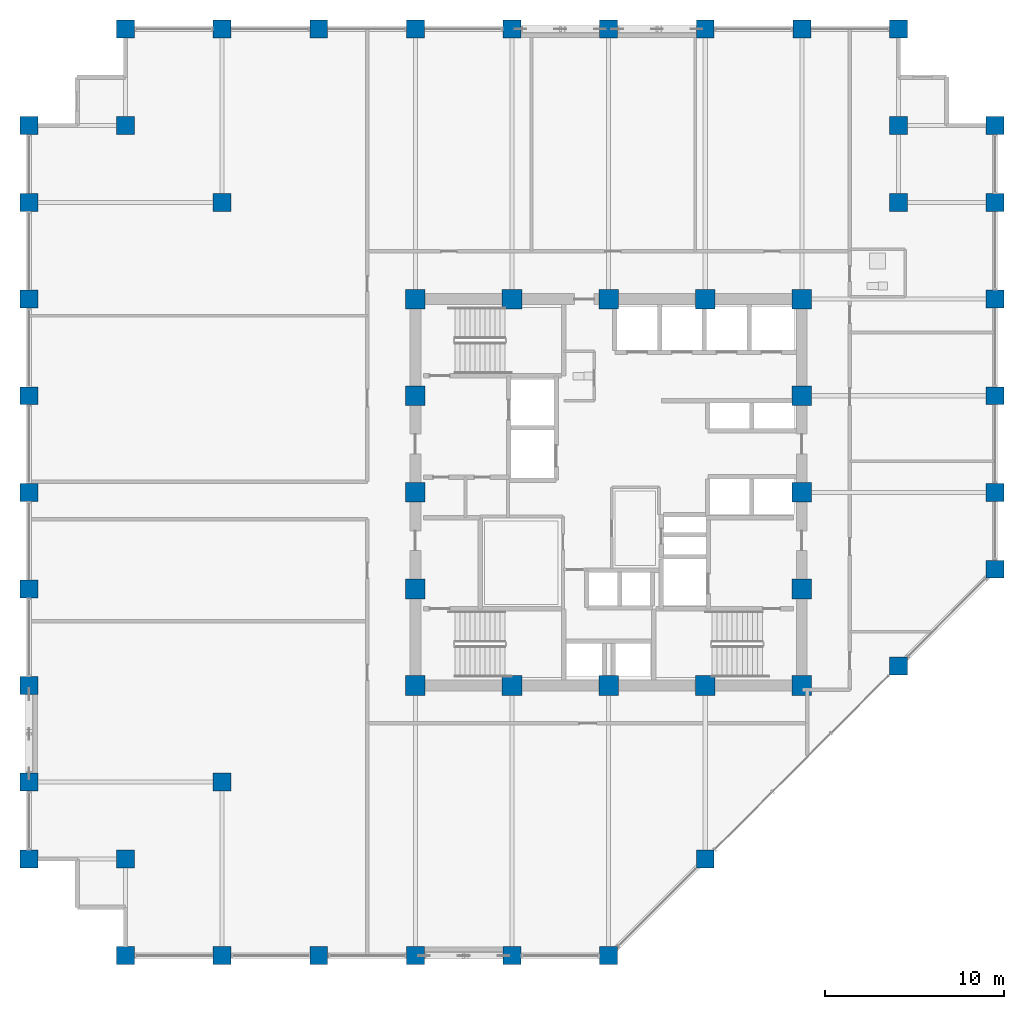
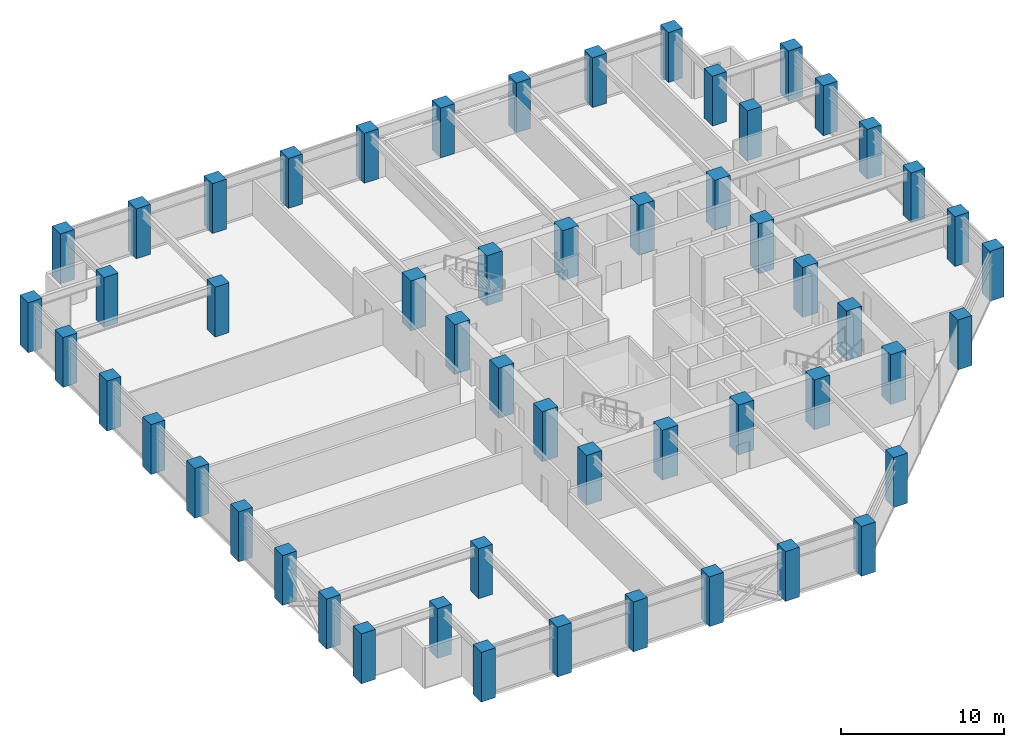
# One storey, part 1 of 23: 54 columns.
"""IFC4 building model written with IfcOpenShell, lengths in metres."""

from ifc_helpers import new_model, si_unit, direction, frame, origin, origin_2d, place, context, subcontext, project, spatial, rectangle, extrude, material, material_profile, profile_set, type_object, element, save


model = new_model("IFC4")

# Units and contexts
model_context = context("Model", 3, precision=1e-05, world=origin(), true_north=direction((0.0, 1.0)))
body_context = subcontext(model_context, "Body", "Model", "MODEL_VIEW")
ifc_project = project(units=[si_unit("LENGTHUNIT", "METRE"), si_unit("AREAUNIT", "SQUARE_METRE"), si_unit("VOLUMEUNIT", "CUBIC_METRE"), si_unit("PLANEANGLEUNIT", "RADIAN"), si_unit("MASSUNIT", "GRAM", prefix="KILO")], contexts=[model_context])

# Site, building, storey
site_placement = place(None, origin())
site = spatial("IfcSite", under=ifc_project, at=site_placement, CompositionType="ELEMENT")
building_placement = place(site_placement, origin())
building = spatial("IfcBuilding", under=site, at=building_placement, Name="Surkhivell Harbour Commons", CompositionType="ELEMENT")
storey_placement = place(building_placement, frame((0.0, 0.0, 132.0)))
storey = spatial("IfcBuildingStorey", under=building, at=storey_placement, Name="L34", CompositionType="ELEMENT", Elevation=132.0)

# Columns
ifc_material = material(Name="Concrete C60/75", Category="concrete")
ifc_material_profile_1 = material_profile(ifc_material, rectangle(XDim=1.10009765625, YDim=1.10009765625, at=origin_2d()), Name="RC-COL-1100x1100")
ifc_profile_set_1 = profile_set([ifc_material_profile_1], Name="Concrete C60/75")
column_type_1 = type_object("IfcColumnType", Name="COL-TUBE-Z2A", PredefinedType="COLUMN", material=ifc_profile_set_1)
for number, where, z_axis, x_axis, name in (
    (1, (-10.800048828125, -10.800048828125, 0.0), (0.0, 0.0, 1.0), (1.0, 0.0, 0.0), "L34 Column CT-2A (-10.8,-10.8)"),
    (2, (-10.800048828125, -5.39990234375, 0.0), (0.0, 0.0, 1.0), (1.0, 0.0, 0.0), "L34 Column CT-2A (-10.8,-5.4)"),
    (3, (-10.800048828125, 0.0, 0.0), (0.0, 0.0, 1.0), (1.0, 0.0, 0.0), "L34 Column CT-2A (-10.8,0.0)"),
    (4, (-10.800048828125, 5.39990234375, 0.0), (0.0, 0.0, 1.0), (1.0, 0.0, 0.0), "L34 Column CT-2A (-10.8,5.4)"),
    (5, (-10.800048828125, 10.800048828125, 0.0), (0.0, 0.0, 1.0), (1.0, 0.0, 0.0), "L34 Column CT-2A (-10.8,10.8)"),
    (6, (-5.39990234375, -10.800048828125, 0.0), (0.0, 0.0, 1.0), (1.0, 0.0, 0.0), "L34 Column CT-2A (-5.4,-10.8)"),
    (7, (-5.39990234375, 10.800048828125, 0.0), (0.0, 0.0, 1.0), (1.0, 0.0, 0.0), "L34 Column CT-2A (-5.4,10.8)"),
    (8, (0.0, -10.800048828125, 0.0), (0.0, 0.0, 1.0), (1.0, 0.0, 0.0), "L34 Column CT-2A (0.0,-10.8)"),
    (9, (0.0, 10.800048828125, 0.0), (0.0, 0.0, 1.0), (1.0, 0.0, 0.0), "L34 Column CT-2A (0.0,10.8)"),
    (10, (5.39990234375, -10.800048828125, 0.0), (0.0, 0.0, 1.0), (1.0, 0.0, 0.0), "L34 Column CT-2A (5.4,-10.8)"),
    (11, (5.39990234375, 10.800048828125, 0.0), (0.0, 0.0, 1.0), (1.0, 0.0, 0.0), "L34 Column CT-2A (5.4,10.8)"),
    (12, (10.800048828125, -10.800048828125, 0.0), (0.0, 0.0, 1.0), (1.0, 0.0, 0.0), "L34 Column CT-2A (10.8,-10.8)"),
    (13, (10.800048828125, -5.39990234375, 0.0), (0.0, 0.0, 1.0), (1.0, 0.0, 0.0), "L34 Column CT-2A (10.8,-5.4)"),
    (14, (10.800048828125, 0.0, 0.0), (0.0, 0.0, 1.0), (1.0, 0.0, 0.0), "L34 Column CT-2A (10.8,0.0)"),
    (15, (10.800048828125, 5.39990234375, 0.0), (0.0, 0.0, 1.0), (1.0, 0.0, 0.0), "L34 Column CT-2A (10.8,5.4)"),
    (16, (10.800048828125, 10.800048828125, 0.0), (0.0, 0.0, 1.0), (1.0, 0.0, 0.0), "L34 Column CT-2A (10.8,10.8)"),
):
    element("IfcColumn", number, at=place(storey_placement, frame(where, z_axis=z_axis, x_axis=x_axis)), inside=storey, type_object=column_type_1, Name=name, PredefinedType="COLUMN", context=body_context, shape_type="SweptSolid", body=[
        extrude(rectangle(XDim=1.10009765625, YDim=1.10009765625, at=origin_2d()), origin(), (0.0, 0.0, 1.0), 3.75),
    ])
ifc_material_profile_2 = material_profile(ifc_material, rectangle(XDim=1.0, YDim=1.0, at=origin_2d()), Name="RC-COL-1000x1000")
ifc_profile_set_2 = profile_set([ifc_material_profile_2], Name="Concrete C60/75")
column_type_2 = type_object("IfcColumnType", Name="COL-TUBE-Z2B", PredefinedType="COLUMN", material=ifc_profile_set_2)
for number, where, z_axis, x_axis, name in (
    (17, (-32.39990234375, -20.5, 0.0), (0.0, 0.0, 1.0), (1.0, 0.0, 0.0), "L34 Column CT-2B (-32.4,-20.5)"),
    (18, (-32.39990234375, -16.199951171875, 0.0), (0.0, 0.0, 1.0), (1.0, 0.0, 0.0), "L34 Column CT-2B (-32.4,-16.2)"),
    (19, (-32.39990234375, -10.800048828125, 0.0), (0.0, 0.0, 1.0), (1.0, 0.0, 0.0), "L34 Column CT-2B (-32.4,-10.8)"),
    (20, (-32.39990234375, -5.39990234375, 0.0), (0.0, 0.0, 1.0), (1.0, 0.0, 0.0), "L34 Column CT-2B (-32.4,-5.4)"),
    (21, (-32.39990234375, 0.0, 0.0), (0.0, 0.0, 1.0), (1.0, 0.0, 0.0), "L34 Column CT-2B (-32.4,0.0)"),
    (22, (-32.39990234375, 5.39990234375, 0.0), (0.0, 0.0, 1.0), (1.0, 0.0, 0.0), "L34 Column CT-2B (-32.4,5.4)"),
    (23, (-32.39990234375, 10.800048828125, 0.0), (0.0, 0.0, 1.0), (1.0, 0.0, 0.0), "L34 Column CT-2B (-32.4,10.8)"),
    (24, (-32.39990234375, 16.199951171875, 0.0), (0.0, 0.0, 1.0), (1.0, 0.0, 0.0), "L34 Column CT-2B (-32.4,16.2)"),
    (25, (-32.39990234375, 20.5, 0.0), (0.0, 0.0, 1.0), (1.0, 0.0, 0.0), "L34 Column CT-2B (-32.4,20.5)"),
    (26, (-27.0, -25.89990234375, 0.0), (0.0, 0.0, 1.0), (1.0, 0.0, 0.0), "L34 Column CT-2B (-27.0,-25.9)"),
    (27, (-27.0, -20.5, 0.0), (0.0, 0.0, 1.0), (1.0, 0.0, 0.0), "L34 Column CT-2B (-27.0,-20.5)"),
    (28, (-27.0, 20.5, 0.0), (0.0, 0.0, 1.0), (1.0, 0.0, 0.0), "L34 Column CT-2B (-27.0,20.5)"),
    (29, (-27.0, 25.89990234375, 0.0), (0.0, 0.0, 1.0), (1.0, 0.0, 0.0), "L34 Column CT-2B (-27.0,25.9)"),
    (30, (-21.60009765625, -25.89990234375, 0.0), (0.0, 0.0, 1.0), (1.0, 0.0, 0.0), "L34 Column CT-2B (-21.6,-25.9)"),
    (31, (-21.60009765625, -16.199951171875, 0.0), (0.0, 0.0, 1.0), (1.0, 0.0, 0.0), "L34 Column CT-2B (-21.6,-16.2)"),
    (32, (-21.60009765625, 16.199951171875, 0.0), (0.0, 0.0, 1.0), (1.0, 0.0, 0.0), "L34 Column CT-2B (-21.6,16.2)"),
    (33, (-21.60009765625, 25.89990234375, 0.0), (0.0, 0.0, 1.0), (1.0, 0.0, 0.0), "L34 Column CT-2B (-21.6,25.9)"),
    (34, (-16.199951171875, -25.89990234375, 0.0), (0.0, 0.0, 1.0), (1.0, 0.0, 0.0), "L34 Column CT-2B (-16.2,-25.9)"),
    (35, (-16.199951171875, 25.89990234375, 0.0), (0.0, 0.0, 1.0), (1.0, 0.0, 0.0), "L34 Column CT-2B (-16.2,25.9)"),
    (36, (-10.800048828125, -25.89990234375, 0.0), (0.0, 0.0, 1.0), (1.0, 0.0, 0.0), "L34 Column CT-2B (-10.8,-25.9)"),
    (37, (-10.800048828125, 25.89990234375, 0.0), (0.0, 0.0, 1.0), (1.0, 0.0, 0.0), "L34 Column CT-2B (-10.8,25.9)"),
    (38, (-5.39990234375, -25.89990234375, 0.0), (0.0, 0.0, 1.0), (1.0, 0.0, 0.0), "L34 Column CT-2B (-5.4,-25.9)"),
    (39, (-5.39990234375, 25.89990234375, 0.0), (0.0, 0.0, 1.0), (1.0, 0.0, 0.0), "L34 Column CT-2B (-5.4,25.9)"),
    (40, (0.0, -25.89990234375, 0.0), (0.0, 0.0, 1.0), (1.0, 0.0, 0.0), "L34 Column CT-2B (-0.0,-25.9)"),
    (41, (0.0, 25.89990234375, 0.0), (0.0, 0.0, 1.0), (1.0, 0.0, 0.0), "L34 Column CT-2B (-0.0,25.9)"),
    (42, (5.39990234375, -20.5, 0.0), (0.0, 0.0, 1.0), (1.0, 0.0, 0.0), "L34 Column CT-2B (5.4,-20.5)"),
    (43, (5.39990234375, 25.89990234375, 0.0), (0.0, 0.0, 1.0), (1.0, 0.0, 0.0), "L34 Column CT-2B (5.4,25.9)"),
    (44, (10.800048828125, 25.89990234375, 0.0), (0.0, 0.0, 1.0), (1.0, 0.0, 0.0), "L34 Column CT-2B (10.8,25.9)"),
    (45, (16.199951171875, -9.699951171875, 0.0), (0.0, 0.0, 1.0), (1.0, 0.0, 0.0), "L34 Column CT-2B (16.2,-9.7)"),
    (46, (16.199951171875, 16.199951171875, 0.0), (0.0, 0.0, 1.0), (1.0, 0.0, 0.0), "L34 Column CT-2B (16.2,16.2)"),
    (47, (16.199951171875, 20.5, 0.0), (0.0, 0.0, 1.0), (1.0, 0.0, 0.0), "L34 Column CT-2B (16.2,20.5)"),
    (48, (16.199951171875, 25.89990234375, 0.0), (0.0, 0.0, 1.0), (1.0, 0.0, 0.0), "L34 Column CT-2B (16.2,25.9)"),
    (49, (21.60009765625, -4.300048828125, 0.0), (0.0, 0.0, 1.0), (1.0, 0.0, 0.0), "L34 Column CT-2B (21.6,-4.3)"),
    (50, (21.60009765625, 0.0, 0.0), (0.0, 0.0, 1.0), (1.0, 0.0, 0.0), "L34 Column CT-2B (21.6,0.0)"),
    (51, (21.60009765625, 5.39990234375, 0.0), (0.0, 0.0, 1.0), (1.0, 0.0, 0.0), "L34 Column CT-2B (21.6,5.4)"),
    (52, (21.60009765625, 10.800048828125, 0.0), (0.0, 0.0, 1.0), (1.0, 0.0, 0.0), "L34 Column CT-2B (21.6,10.8)"),
    (53, (21.60009765625, 16.199951171875, 0.0), (0.0, 0.0, 1.0), (1.0, 0.0, 0.0), "L34 Column CT-2B (21.6,16.2)"),
    (54, (21.60009765625, 20.5, 0.0), (0.0, 0.0, 1.0), (1.0, 0.0, 0.0), "L34 Column CT-2B (21.6,20.5)"),
):
    element("IfcColumn", number, at=place(storey_placement, frame(where, z_axis=z_axis, x_axis=x_axis)), inside=storey, type_object=column_type_2, Name=name, PredefinedType="COLUMN", context=body_context, shape_type="SweptSolid", body=[
        extrude(rectangle(XDim=1.0, YDim=1.0, at=origin_2d()), origin(), (0.0, 0.0, 1.0), 3.75),
    ])

save(model, "model.ifc")
